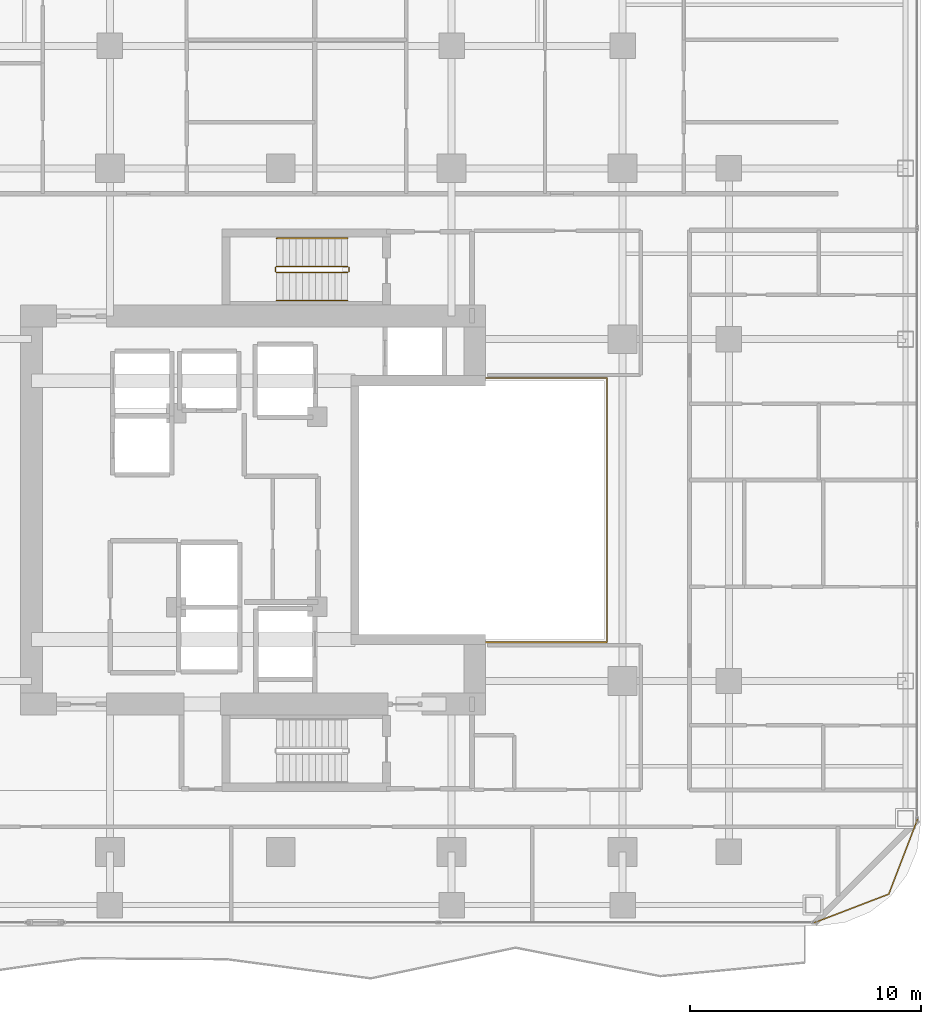
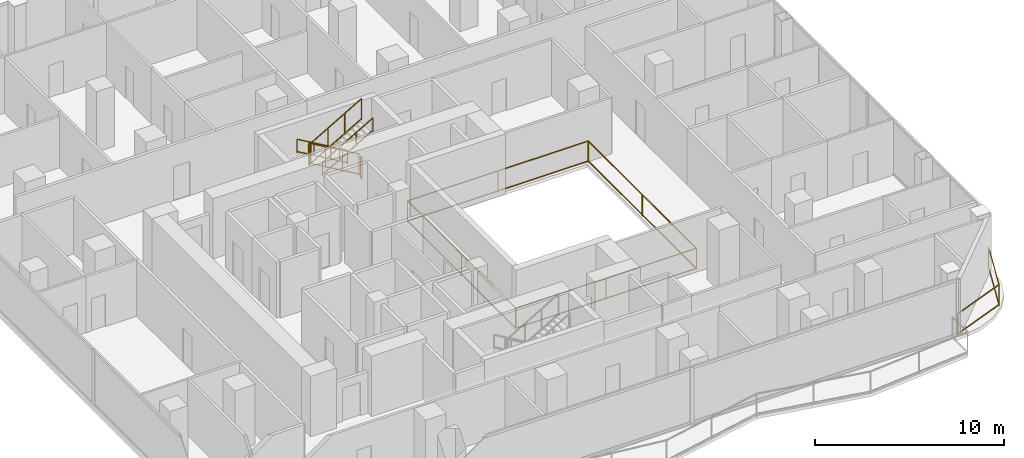
# One storey, part 26 of 27: 8 railings.
"""IFC4 building model written with IfcOpenShell, lengths in metres."""

from ifc_helpers import new_model, si_unit, direction, frame, origin, origin_2d, place, context, subcontext, project, spatial, rectangle, extrude, material, type_object, element, save


model = new_model("IFC4")

# Units and contexts
model_context = context("Model", 3, precision=1e-05, world=origin(), true_north=direction((0.0, 1.0)))
body_context = subcontext(model_context, "Body", "Model", "MODEL_VIEW")
ifc_project = project(units=[si_unit("LENGTHUNIT", "METRE"), si_unit("AREAUNIT", "SQUARE_METRE"), si_unit("VOLUMEUNIT", "CUBIC_METRE"), si_unit("PLANEANGLEUNIT", "RADIAN"), si_unit("MASSUNIT", "GRAM", prefix="KILO")], contexts=[model_context])

# Site, building, storey
site_placement = place(None, origin())
site = spatial("IfcSite", under=ifc_project, at=site_placement, CompositionType="ELEMENT")
building_placement = place(site_placement, origin())
building = spatial("IfcBuilding", under=site, at=building_placement, Name="Khorvyn Point Tower", CompositionType="ELEMENT")
storey_placement = place(building_placement, frame((0.0, 0.0, 132.89990234375)))
storey = spatial("IfcBuildingStorey", under=building, at=storey_placement, Name="L33", CompositionType="ELEMENT", Elevation=132.89990234375)

# Railings
ifc_material_1 = material(Name="Stainless steel 1.4401 and laminated glass", Category="steel")
railing_type_1 = type_object("IfcRailingType", Name="Crystal Atrium Smoke-Rated Perimeter Guardrail 1400", PredefinedType="GUARDRAIL", material=ifc_material_1)
railing_1_placement = place(storey_placement, frame((3.080078125, -5.719970703125, 0.0)))
element("IfcRailing", 1, at=railing_1_placement, inside=storey, type_object=railing_type_1, Name="L33 Crystal Atrium Perimeter Guardrail", PredefinedType="GUARDRAIL", context=body_context, shape_type="SweptSolid", body=[
    extrude(rectangle(XDim=0.048095703125, YDim=0.048095703125, at=origin_2d()), frame((0.0, 0.0, 1.3759765625), z_axis=(1.0, 0.0, 0.0), x_axis=(0.0, 1.0, 0.0)), (0.0, 0.0, 1.0), 11.0400390625),
    extrude(rectangle(XDim=0.048095703125, YDim=0.048095703125, at=origin_2d()), frame((0.0, 0.0, 0.080078125), z_axis=(1.0, 0.0, 0.0), x_axis=(0.0, 1.0, 0.0)), (0.0, 0.0, 1.0), 11.0400390625),
    extrude(rectangle(XDim=0.048095703125, YDim=0.048095703125, at=origin_2d()), frame((11.0400390625, 0.0, 1.3759765625), z_axis=(0.0, 1.0, 0.0), x_axis=(-1.0, 0.0, 0.0)), (0.0, 0.0, 1.0), 11.43994140625),
    extrude(rectangle(XDim=0.048095703125, YDim=0.048095703125, at=origin_2d()), frame((11.0400390625, 0.0, 0.080078125), z_axis=(0.0, 1.0, 0.0), x_axis=(-1.0, 0.0, 0.0)), (0.0, 0.0, 1.0), 11.43994140625),
    extrude(rectangle(XDim=0.048095703125, YDim=0.048095703125, at=origin_2d()), frame((11.0400390625, 11.43994140625, 1.3759765625), z_axis=(-1.0, 0.0, 0.0), x_axis=(0.0, -1.0, 0.0)), (0.0, 0.0, 1.0), 11.0400390625),
    extrude(rectangle(XDim=0.048095703125, YDim=0.048095703125, at=origin_2d()), frame((11.0400390625, 11.43994140625, 0.080078125), z_axis=(-1.0, 0.0, 0.0), x_axis=(0.0, -1.0, 0.0)), (0.0, 0.0, 1.0), 11.0400390625),
    extrude(rectangle(XDim=0.048095703125, YDim=0.048095703125, at=origin_2d()), frame((0.0, 11.43994140625, 1.3759765625), z_axis=(0.0, -1.0, 0.0), x_axis=(1.0, 0.0, 0.0)), (0.0, 0.0, 1.0), 11.409912109375),
    extrude(rectangle(XDim=0.048095703125, YDim=0.048095703125, at=origin_2d()), frame((0.0, 11.43994140625, 0.080078125), z_axis=(0.0, -1.0, 0.0), x_axis=(1.0, 0.0, 0.0)), (0.0, 0.0, 1.0), 11.409912109375),
    extrude(rectangle(XDim=0.0419921875, YDim=0.0419921875, at=origin_2d()), origin(), (0.0, 0.0, 1.0), 1.351806640625),
    extrude(rectangle(XDim=0.0419921875, YDim=0.0419921875, at=origin_2d()), frame((5.52001953125, 0.0, 0.0)), (0.0, 0.0, 1.0), 1.351806640625),
    extrude(rectangle(XDim=0.0419921875, YDim=0.0419921875, at=origin_2d()), frame((11.0400390625, 0.0, 0.0)), (0.0, 0.0, 1.0), 1.351806640625),
    extrude(rectangle(XDim=0.0419921875, YDim=0.0419921875, at=origin_2d()), frame((11.0400390625, 5.719970703125, 0.0)), (0.0, 0.0, 1.0), 1.351806640625),
    extrude(rectangle(XDim=0.0419921875, YDim=0.0419921875, at=origin_2d()), frame((11.0400390625, 11.43994140625, 0.0)), (0.0, 0.0, 1.0), 1.351806640625),
    extrude(rectangle(XDim=0.0419921875, YDim=0.0419921875, at=origin_2d()), frame((5.52001953125, 11.43994140625, 0.0)), (0.0, 0.0, 1.0), 1.351806640625),
    extrude(rectangle(XDim=0.0419921875, YDim=0.0419921875, at=origin_2d()), frame((0.0, 11.43994140625, 0.0)), (0.0, 0.0, 1.0), 1.351806640625),
    extrude(rectangle(XDim=0.0419921875, YDim=0.0419921875, at=origin_2d()), frame((0.0, 5.73486328125, 0.0)), (0.0, 0.0, 1.0), 1.351806640625),
    extrude(rectangle(XDim=0.0419921875, YDim=0.0419921875, at=origin_2d()), frame((0.0, 0.030029296875, 0.0)), (0.0, 0.0, 1.0), 1.351806640625),
])
ifc_material_2 = material(Name="Anodised aluminium 6063-T6 and laminated safety glass", Category="aluminium")
railing_type_2 = type_object("IfcRailingType", Name="Laminated Glass and Aluminium Balcony Guardrail 1400", PredefinedType="BALUSTRADE", material=ifc_material_2)
railing_2_placement = place(storey_placement, frame((23.075927734375, -17.8740234375, 0.0)))
element("IfcRailing", 2, at=railing_2_placement, inside=storey, type_object=railing_type_2, Name="L33 Rounded Corner Edge Guardrail SE", PredefinedType="BALUSTRADE", context=body_context, shape_type="SweptSolid", body=[
    extrude(rectangle(XDim=0.048095703125, YDim=0.048095703125, at=origin_2d()), frame((0.0, 0.0, 1.3759765625), z_axis=(0.933598390295, 0.358321148746, 0.0), x_axis=(-0.358321148746, 0.933598390295, 0.0)), (0.0, 0.0, 1.0), 3.481689453125),
    extrude(rectangle(XDim=0.048095703125, YDim=0.048095703125, at=origin_2d()), frame((0.0, 0.0, 0.080078125), z_axis=(0.933598390295, 0.358321148746, 0.0), x_axis=(-0.358321148746, 0.933598390295, 0.0)), (0.0, 0.0, 1.0), 3.481689453125),
    extrude(rectangle(XDim=0.048095703125, YDim=0.048095703125, at=origin_2d()), frame((3.25048828125, 1.24755859375, 1.3759765625), z_axis=(0.358382264808, 0.933574931257, 0.0), x_axis=(-0.933574931257, 0.358382264808, 0.0)), (0.0, 0.0, 1.0), 3.481689453125),
    extrude(rectangle(XDim=0.048095703125, YDim=0.048095703125, at=origin_2d()), frame((3.25048828125, 1.24755859375, 0.080078125), z_axis=(0.358382264808, 0.933574931257, 0.0), x_axis=(-0.933574931257, 0.358382264808, 0.0)), (0.0, 0.0, 1.0), 3.481689453125),
    extrude(rectangle(XDim=0.0419921875, YDim=0.0419921875, at=origin_2d()), origin(), (0.0, 0.0, 1.0), 1.351806640625),
    extrude(rectangle(XDim=0.0419921875, YDim=0.0419921875, at=origin_2d()), frame((3.25048828125, 1.24755859375, 0.0)), (0.0, 0.0, 1.0), 1.351806640625),
    extrude(rectangle(XDim=0.0419921875, YDim=0.0419921875, at=origin_2d()), frame((4.498291015625, 4.498046875, 0.0)), (0.0, 0.0, 1.0), 1.351806640625),
])
ifc_material_3 = material(Name="Stainless steel 1.4301", Category="steel")
railing_type_3 = type_object("IfcRailingType", Name="Stainless Steel 304 Stair Pitch Handrail 900", PredefinedType="HANDRAIL", material=ifc_material_3)
railing_3_placement = place(storey_placement, frame((2.89990234375, 11.77001953125, 0.16259765625)))
element("IfcRailing", 3, at=railing_3_placement, inside=storey, type_object=railing_type_3, Name="L33 ST-02 stair handrail 1", PredefinedType="HANDRAIL", context=body_context, shape_type="SweptSolid", body=[
    extrude(rectangle(XDim=0.048095703125, YDim=0.048095703125, at=origin_2d()), frame((0.0, 0.0, 0.8759765625), z_axis=(-0.864873446163, 0.0, 0.501989962173), x_axis=(0.0, -1.0, 0.0)), (0.0, 0.0, 1.0), 3.56103515625),
    extrude(rectangle(XDim=0.048095703125, YDim=0.048095703125, at=origin_2d()), frame((0.0, 0.0, 0.080078125), z_axis=(-0.864873446163, 0.0, 0.501989962173), x_axis=(0.0, -1.0, 0.0)), (0.0, 0.0, 1.0), 3.56103515625),
    extrude(rectangle(XDim=0.0419921875, YDim=0.0419921875, at=origin_2d()), origin(), (0.0, 0.0, 1.0), 0.851806640625),
    extrude(rectangle(XDim=0.0419921875, YDim=0.0419921875, at=origin_2d()), frame((-1.026611328125, 0.0, 0.595947265625)), (0.0, 0.0, 1.0), 0.851806640625),
    extrude(rectangle(XDim=0.0419921875, YDim=0.0419921875, at=origin_2d()), frame((-2.05322265625, 0.0, 1.191650390625)), (0.0, 0.0, 1.0), 0.851806640625),
    extrude(rectangle(XDim=0.0419921875, YDim=0.0419921875, at=origin_2d()), frame((-3.079833984375, 0.0, 1.78759765625)), (0.0, 0.0, 1.0), 0.851806640625),
])
railing_4_placement = place(storey_placement, frame((-0.179931640625, 9.070068359375, 2.112548828125)))
element("IfcRailing", 4, at=railing_4_placement, inside=storey, type_object=railing_type_3, Name="L33 ST-02 stair handrail 2", PredefinedType="HANDRAIL", context=body_context, shape_type="SweptSolid", body=[
    extrude(rectangle(XDim=0.048095703125, YDim=0.048095703125, at=origin_2d()), frame((0.0, 0.0, 0.8759765625), z_axis=(0.864873446163, 0.0, 0.501989962173), x_axis=(0.0, 1.0, 0.0)), (0.0, 0.0, 1.0), 3.56103515625),
    extrude(rectangle(XDim=0.048095703125, YDim=0.048095703125, at=origin_2d()), frame((0.0, 0.0, 0.080078125), z_axis=(0.864873446163, 0.0, 0.501989962173), x_axis=(0.0, 1.0, 0.0)), (0.0, 0.0, 1.0), 3.56103515625),
    extrude(rectangle(XDim=0.0419921875, YDim=0.0419921875, at=origin_2d()), origin(), (0.0, 0.0, 1.0), 0.851806640625),
    extrude(rectangle(XDim=0.0419921875, YDim=0.0419921875, at=origin_2d()), frame((1.026611328125, 0.0, 0.595947265625)), (0.0, 0.0, 1.0), 0.851806640625),
    extrude(rectangle(XDim=0.0419921875, YDim=0.0419921875, at=origin_2d()), frame((2.05322265625, 0.0, 1.191650390625)), (0.0, 0.0, 1.0), 0.851806640625),
    extrude(rectangle(XDim=0.0419921875, YDim=0.0419921875, at=origin_2d()), frame((3.079833984375, 0.0, 1.78759765625)), (0.0, 0.0, 1.0), 0.851806640625),
])
railing_type_4 = type_object("IfcRailingType", Name="Stainless Steel 304 Stair Well Guardrail 1400", PredefinedType="GUARDRAIL", material=ifc_material_3)
railing_5_placement = place(storey_placement, frame((2.89990234375, 10.550048828125, 0.16259765625)))
element("IfcRailing", 5, at=railing_5_placement, inside=storey, type_object=railing_type_4, Name="L33 ST-02 stair guard 1", PredefinedType="GUARDRAIL", context=body_context, shape_type="SweptSolid", body=[
    extrude(rectangle(XDim=0.048095703125, YDim=0.048095703125, at=origin_2d()), frame((0.0, 0.0, 1.3759765625), z_axis=(-0.864873446163, 0.0, 0.501989962173), x_axis=(0.0, -1.0, 0.0)), (0.0, 0.0, 1.0), 3.56103515625),
    extrude(rectangle(XDim=0.048095703125, YDim=0.048095703125, at=origin_2d()), frame((0.0, 0.0, 0.080078125), z_axis=(-0.864873446163, 0.0, 0.501989962173), x_axis=(0.0, -1.0, 0.0)), (0.0, 0.0, 1.0), 3.56103515625),
    extrude(rectangle(XDim=0.0419921875, YDim=0.0419921875, at=origin_2d()), origin(), (0.0, 0.0, 1.0), 1.351806640625),
    extrude(rectangle(XDim=0.0419921875, YDim=0.0419921875, at=origin_2d()), frame((-1.026611328125, 0.0, 0.595947265625)), (0.0, 0.0, 1.0), 1.351806640625),
    extrude(rectangle(XDim=0.0419921875, YDim=0.0419921875, at=origin_2d()), frame((-2.05322265625, 0.0, 1.191650390625)), (0.0, 0.0, 1.0), 1.351806640625),
    extrude(rectangle(XDim=0.0419921875, YDim=0.0419921875, at=origin_2d()), frame((-3.079833984375, 0.0, 1.78759765625)), (0.0, 0.0, 1.0), 1.351806640625),
])
railing_6_placement = place(storey_placement, frame((-0.22998046875, 10.5, 1.9501953125)))
element("IfcRailing", 6, at=railing_6_placement, inside=storey, type_object=railing_type_4, Name="L33 ST-02 stair guard 2", PredefinedType="GUARDRAIL", context=body_context, shape_type="SweptSolid", body=[
    extrude(rectangle(XDim=0.048095703125, YDim=0.048095703125, at=origin_2d()), frame((0.0, 0.0, 1.3759765625), z_axis=(0.0, -1.0, 0.0), x_axis=(1.0, 0.0, 0.0)), (0.0, 0.0, 1.0), 0.159912109375),
    extrude(rectangle(XDim=0.048095703125, YDim=0.048095703125, at=origin_2d()), frame((0.0, 0.0, 0.080078125), z_axis=(0.0, -1.0, 0.0), x_axis=(1.0, 0.0, 0.0)), (0.0, 0.0, 1.0), 0.159912109375),
    extrude(rectangle(XDim=0.0419921875, YDim=0.0419921875, at=origin_2d()), origin(), (0.0, 0.0, 1.0), 1.351806640625),
    extrude(rectangle(XDim=0.0419921875, YDim=0.0419921875, at=origin_2d()), frame((0.0, -0.159912109375, 0.0)), (0.0, 0.0, 1.0), 1.351806640625),
])
railing_7_placement = place(storey_placement, frame((-0.179931640625, 10.2900390625, 2.112548828125)))
element("IfcRailing", 7, at=railing_7_placement, inside=storey, type_object=railing_type_4, Name="L33 ST-02 stair guard 3", PredefinedType="GUARDRAIL", context=body_context, shape_type="SweptSolid", body=[
    extrude(rectangle(XDim=0.048095703125, YDim=0.048095703125, at=origin_2d()), frame((0.0, 0.0, 1.3759765625), z_axis=(0.864873446163, 0.0, 0.501989962173), x_axis=(0.0, 1.0, 0.0)), (0.0, 0.0, 1.0), 3.56103515625),
    extrude(rectangle(XDim=0.048095703125, YDim=0.048095703125, at=origin_2d()), frame((0.0, 0.0, 0.080078125), z_axis=(0.864873446163, 0.0, 0.501989962173), x_axis=(0.0, 1.0, 0.0)), (0.0, 0.0, 1.0), 3.56103515625),
    extrude(rectangle(XDim=0.0419921875, YDim=0.0419921875, at=origin_2d()), origin(), (0.0, 0.0, 1.0), 1.351806640625),
    extrude(rectangle(XDim=0.0419921875, YDim=0.0419921875, at=origin_2d()), frame((1.026611328125, 0.0, 0.595947265625)), (0.0, 0.0, 1.0), 1.351806640625),
    extrude(rectangle(XDim=0.0419921875, YDim=0.0419921875, at=origin_2d()), frame((2.05322265625, 0.0, 1.191650390625)), (0.0, 0.0, 1.0), 1.351806640625),
    extrude(rectangle(XDim=0.0419921875, YDim=0.0419921875, at=origin_2d()), frame((3.079833984375, 0.0, 1.78759765625)), (0.0, 0.0, 1.0), 1.351806640625),
])
railing_8_placement = place(storey_placement, frame((2.949951171875, 10.5, 0.0)))
element("IfcRailing", 8, at=railing_8_placement, inside=storey, type_object=railing_type_4, Name="L33 ST-02 stair guard 4", PredefinedType="GUARDRAIL", context=body_context, shape_type="SweptSolid", body=[
    extrude(rectangle(XDim=0.048095703125, YDim=0.048095703125, at=origin_2d()), frame((0.0, 0.0, 1.3759765625), z_axis=(0.0, -1.0, 0.0), x_axis=(1.0, 0.0, 0.0)), (0.0, 0.0, 1.0), 0.159912109375),
    extrude(rectangle(XDim=0.048095703125, YDim=0.048095703125, at=origin_2d()), frame((0.0, 0.0, 0.080078125), z_axis=(0.0, -1.0, 0.0), x_axis=(1.0, 0.0, 0.0)), (0.0, 0.0, 1.0), 0.159912109375),
    extrude(rectangle(XDim=0.0419921875, YDim=0.0419921875, at=origin_2d()), origin(), (0.0, 0.0, 1.0), 1.351806640625),
    extrude(rectangle(XDim=0.0419921875, YDim=0.0419921875, at=origin_2d()), frame((0.0, -0.159912109375, 0.0)), (0.0, 0.0, 1.0), 1.351806640625),
])

save(model, "model.ifc")
